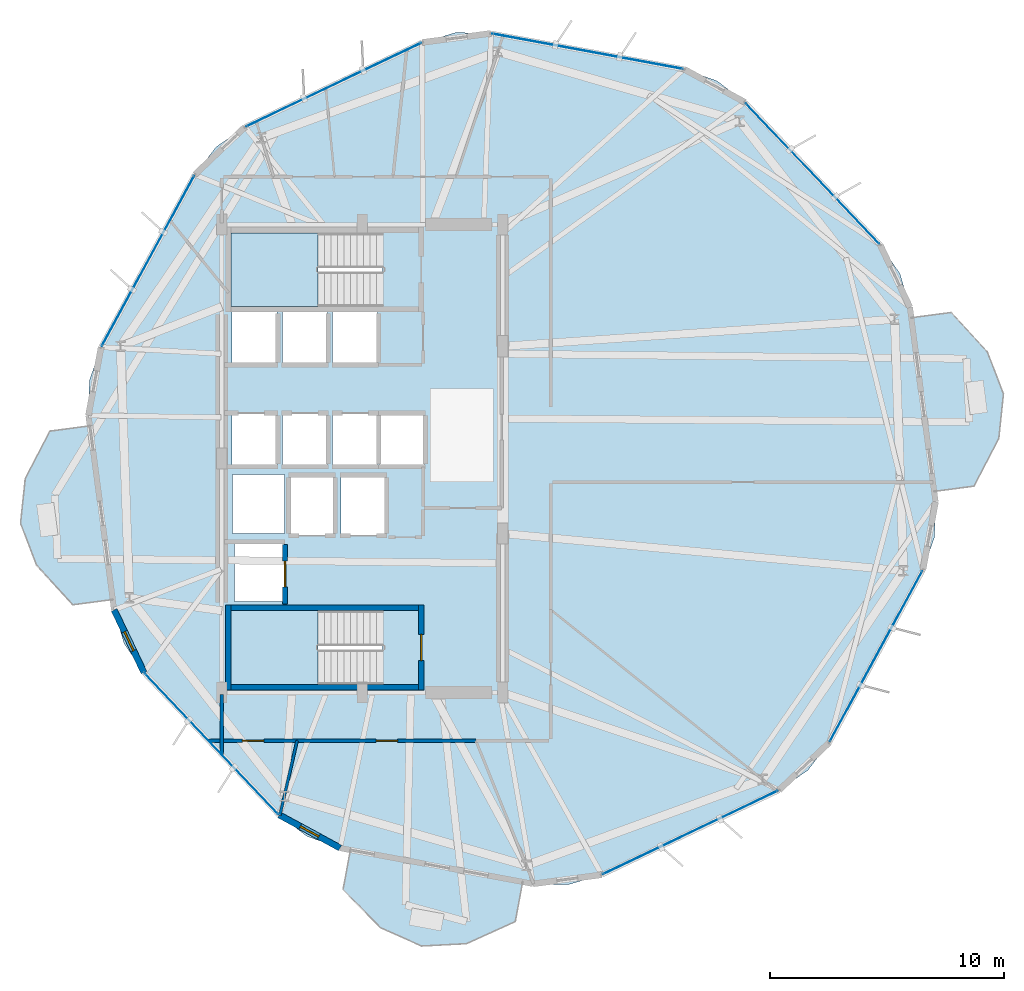
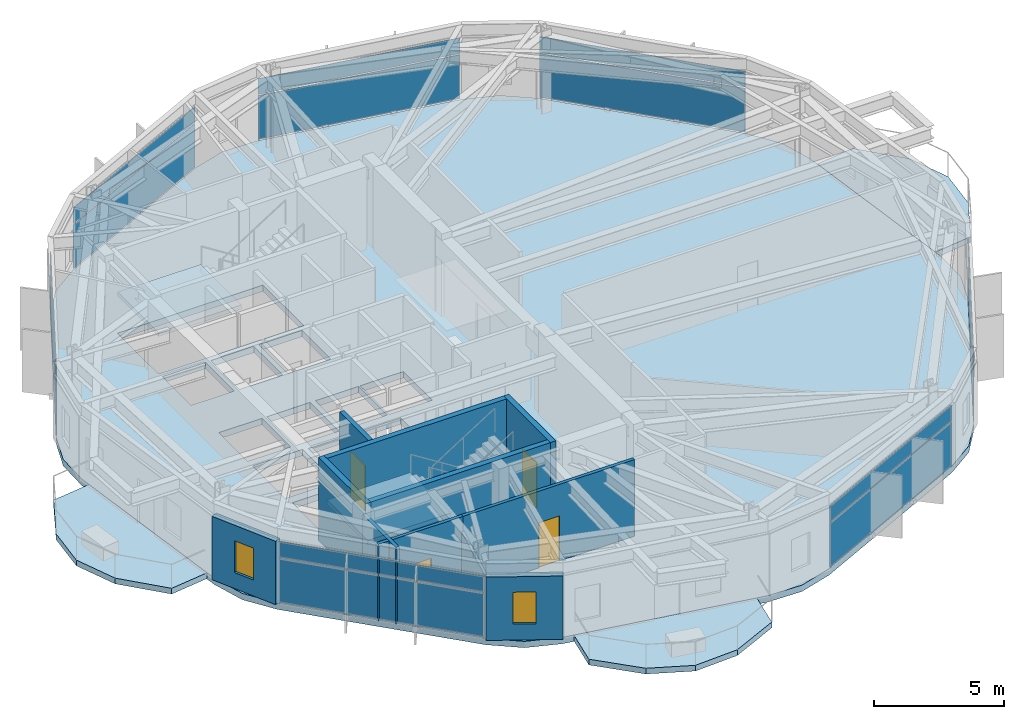
# One storey, part 19 of 25: 14 plates, 11 walls, 6 slabs, 4 doors, 2 windows, 6 openings, 9 elements without a shape of their own.
"""IFC4 building model written with IfcOpenShell, lengths in metres."""

import ifcopenshell
import ifcopenshell.guid

model = None  # the IFC model being written
_history = None  # IfcOwnerHistory: only IFC2X3 demands one
_inside = {}  # id of a spatial element -> (the spatial element, [elements in it])
_under = {}  # id of a project, library or spatial element -> (it, [spatial elements below it])
_declared = {}  # id of a project -> (the project, [libraries it declares])
_typed = {}  # id of a type object -> (the type object, [elements of that type])
_made_of = {}  # id of a material, layer set ... -> (it, [elements and type objects made of it])


def new_model(schema):
    """Start an empty IFC model of exactly this schema.

    Asked for "IFC4X3", IfcOpenShell would pick the latest addendum, in which some entities
    have other attributes; the version numbers below select the first issue.
    IFC2X3 requires an IfcOwnerHistory on every rooted entity: one is made here for all.
    """
    global model, _history
    if schema == "IFC4X3":
        model = ifcopenshell.file(schema_version=(4, 3, 0, 0))
    else:
        model = ifcopenshell.file(schema=schema)
    _inside.clear()
    _under.clear()
    _declared.clear()
    _typed.clear()
    _made_of.clear()
    _history = None
    if model.schema == "IFC2X3":
        org = make("IfcOrganization", Name="unknown")
        user = make(
            "IfcPersonAndOrganization",
            ThePerson=make("IfcPerson", FamilyName="unknown"),
            TheOrganization=org,
        )
        app = make(
            "IfcApplication",
            ApplicationDeveloper=org,
            Version="unknown",
            ApplicationFullName="unknown",
            ApplicationIdentifier="unknown",
        )
        _history = make(
            "IfcOwnerHistory",
            OwningUser=user,
            OwningApplication=app,
            ChangeAction="ADDED",
            CreationDate=0,
        )
    return model


def make(cls, **values):
    """One entity of the class cls with the attributes given. An attribute that is None is left unset."""
    return model.create_entity(
        cls, **{name: value for name, value in values.items() if value is not None}
    )


def rooted(cls, **values):
    """An entity with a GlobalId (a new one), such as an element, a storey or a relation."""
    return make(cls, GlobalId=ifcopenshell.guid.new(), OwnerHistory=_history, **values)


def si_unit(unit_type, name, prefix=None):
    """IfcSIUnit, for example si_unit("LENGTHUNIT", "METRE", prefix="MILLI")."""
    return make("IfcSIUnit", UnitType=unit_type, Prefix=prefix, Name=name)


def assignment(units):
    """IfcUnitAssignment: the units of a project."""
    return None if units is None else make("IfcUnitAssignment", Units=units)


def point(xyz):
    """IfcCartesianPoint."""
    return None if xyz is None else make("IfcCartesianPoint", Coordinates=xyz)


def direction(xyz):
    """IfcDirection."""
    return None if xyz is None else make("IfcDirection", DirectionRatios=xyz)


def frame(location, z_axis=None, x_axis=None):
    """IfcAxis2Placement3D, a coordinate frame: its origin and axes. An axis left out is left unset."""
    return make(
        "IfcAxis2Placement3D",
        Location=point(location),
        Axis=direction(z_axis),
        RefDirection=direction(x_axis),
    )


def frame_2d(location, x_axis=None):
    """IfcAxis2Placement2D, a coordinate frame in the plane: its origin and x axis."""
    return make(
        "IfcAxis2Placement2D", Location=point(location), RefDirection=direction(x_axis)
    )


def origin():
    """The frame at (0, 0, 0) with its axes left unset."""
    return frame((0.0, 0.0, 0.0))


def origin_2d():
    """The frame at (0, 0) in the plane with its x axis left unset."""
    return frame_2d((0.0, 0.0))


def place(relative_to, where):
    """IfcLocalPlacement: puts the frame where relative to a parent placement (None: the world)."""
    return make(
        "IfcLocalPlacement", PlacementRelTo=relative_to, RelativePlacement=where
    )


def context(
    kind, dimensions, precision=None, world=None, true_north=None, identifier=None
):
    """IfcGeometricRepresentationContext, for example the 3D "Model" context."""
    return make(
        "IfcGeometricRepresentationContext",
        ContextIdentifier=identifier,
        ContextType=kind,
        CoordinateSpaceDimension=dimensions,
        Precision=precision,
        WorldCoordinateSystem=world,
        TrueNorth=true_north,
    )


def subcontext(parent, identifier, kind, view, scale=None):
    """IfcGeometricRepresentationSubContext, for example "Body" below "Model"."""
    return make(
        "IfcGeometricRepresentationSubContext",
        ContextIdentifier=identifier,
        ContextType=kind,
        ParentContext=parent,
        TargetScale=scale,
        TargetView=view,
    )


def project(units=None, contexts=None):
    """IfcProject with its units and contexts."""
    return rooted(
        "IfcProject",
        Name="project",
        RepresentationContexts=contexts,
        UnitsInContext=assignment(units),
    )


def spatial(cls, under=None, at=None, **own):
    """A site, building, storey or space (cls), placed at a placement, below another one or the project."""
    s = rooted(cls, ObjectPlacement=at, **own)
    if under is not None:
        _under.setdefault(under.id(), (under, []))[1].append(s)
    return s


def polyline(points):
    """IfcPolyline through the points."""
    return make("IfcPolyline", Points=[point(p) for p in points])


def profile(cls, at=None, kind="AREA", **sizes):
    """A parametric profile (cls). Its sizes go by their IFC names, for example OverallWidth=200.0."""
    return make(cls, ProfileType=kind, Position=at, **sizes)


def rectangle(**sizes):
    """IfcRectangleProfileDef."""
    return profile("IfcRectangleProfileDef", **sizes)


def outline(outer, holes=None, kind="AREA"):
    """IfcArbitraryClosedProfileDef: a profile drawn as a closed curve; with holes, ...WithVoids."""
    if holes is None:
        return make("IfcArbitraryClosedProfileDef", ProfileType=kind, OuterCurve=outer)
    return make(
        "IfcArbitraryProfileDefWithVoids",
        ProfileType=kind,
        OuterCurve=outer,
        InnerCurves=holes,
    )


def extrude(swept, where, along, depth):
    """IfcExtrudedAreaSolid: the profile swept, set in the frame where, extruded along a direction by depth."""
    return make(
        "IfcExtrudedAreaSolid",
        SweptArea=swept,
        Position=where,
        ExtrudedDirection=direction(along),
        Depth=depth,
    )


def shape(context_of_items, identifier, shape_type, items):
    """IfcShapeRepresentation: the items that make up one representation, for example the "Body"."""
    return make(
        "IfcShapeRepresentation",
        ContextOfItems=context_of_items,
        RepresentationIdentifier=identifier,
        RepresentationType=shape_type,
        Items=items,
    )


def material(Name=None, Category=None):
    """IfcMaterial."""
    return make("IfcMaterial", Name=Name, Category=Category)


def layer(
    of_material, thickness, ventilated=None, Name=None, Category=None, Priority=None
):
    """IfcMaterialLayer: one layer of a wall or slab, of a material (None: an air gap)."""
    return make(
        "IfcMaterialLayer",
        Material=of_material,
        LayerThickness=thickness,
        IsVentilated=ventilated,
        Name=Name,
        Category=Category,
        Priority=Priority,
    )


def layer_set(layers, Name=None):
    """IfcMaterialLayerSet."""
    return make("IfcMaterialLayerSet", MaterialLayers=layers, LayerSetName=Name)


def made_of(thing, what):
    """Note that an element or type object is made of a material, layer set ...; save() writes the relation."""
    if what is not None:
        _made_of.setdefault(what.id(), (what, []))[1].append(thing)
    return thing


def type_object(cls, material=None, **own):
    """A type object (cls), such as IfcWallType, which elements share."""
    return made_of(rooted(cls, **own), material)


def element(
    cls,
    number,
    at=None,
    inside=None,
    cuts=None,
    type_object=None,
    material=None,
    context=None,
    identifier="Body",
    shape_type=None,
    held_by="IfcProductDefinitionShape",
    body=None,
    shapes=None,
    **own,
):
    """One element of the class cls, such as IfcWall. Its Tag is "e" and its number.

    at: its placement. inside: the storey or other place that contains it. cuts: it is an
    opening in that element (IfcRelVoidsElement). A single representation is given by context,
    identifier, shape_type and body (its items); several are given by shapes. held_by: the class
    of the entity that holds the representations. save() writes the other relations.
    """
    e = rooted(cls, Tag="e%d" % number, ObjectPlacement=at, **own)
    if body is not None:
        shapes = [shape(context, identifier, shape_type, body)]
    if shapes is not None:
        e.Representation = make(held_by, Representations=shapes)
    if inside is not None:
        _inside.setdefault(inside.id(), (inside, []))[1].append(e)
    if cuts is not None:
        rooted(
            "IfcRelVoidsElement", RelatingBuildingElement=cuts, RelatedOpeningElement=e
        )
    if type_object is not None:
        _typed.setdefault(type_object.id(), (type_object, []))[1].append(e)
    return made_of(e, material)


def fill(opening, filler):
    """IfcRelFillsElement: the door or window that sits in an opening."""
    return rooted(
        "IfcRelFillsElement",
        RelatingOpeningElement=opening,
        RelatedBuildingElement=filler,
    )


def aggregate(whole, parts):
    """IfcRelAggregates: a whole, such as a stair, and the parts it consists of."""
    return rooted("IfcRelAggregates", RelatingObject=whole, RelatedObjects=parts)


def save(model, path):
    """Write the relations noted so far, then the file.

    IfcRelAggregates (storeys below a building ...), IfcRelContainedInSpatialStructure (elements
    in a storey), IfcRelDefinesByType, IfcRelAssociatesMaterial and IfcRelDeclares: one each for
    every whole, place, type object, material and project.
    """
    for whole, parts in _under.values():
        aggregate(whole, parts)
    for where, things in _inside.values():
        rooted(
            "IfcRelContainedInSpatialStructure",
            RelatedElements=things,
            RelatingStructure=where,
        )
    for kind, things in _typed.values():
        rooted("IfcRelDefinesByType", RelatedObjects=things, RelatingType=kind)
    for what, things in _made_of.values():
        rooted("IfcRelAssociatesMaterial", RelatedObjects=things, RelatingMaterial=what)
    for by, libraries in _declared.values():
        rooted("IfcRelDeclares", RelatingContext=by, RelatedDefinitions=libraries)
    model.write(path)


model = new_model("IFC4")

# Units and contexts
model_context = context("Model", 3, precision=1e-05, world=origin(), true_north=direction((0.0, 1.0)))
body_context = subcontext(model_context, "Body", "Model", "MODEL_VIEW")
ifc_project = project(units=[si_unit("LENGTHUNIT", "METRE"), si_unit("AREAUNIT", "SQUARE_METRE"), si_unit("VOLUMEUNIT", "CUBIC_METRE"), si_unit("PLANEANGLEUNIT", "RADIAN"), si_unit("MASSUNIT", "GRAM", prefix="KILO")], contexts=[model_context])

# Site, building, storey
site_placement = place(None, origin())
site = spatial("IfcSite", under=ifc_project, at=site_placement, CompositionType="ELEMENT")
building_placement = place(site_placement, origin())
building = spatial("IfcBuilding", under=site, at=building_placement, Name="Soratama Intermodal Tower", CompositionType="ELEMENT")
storey_placement = place(building_placement, frame((0.0, 0.0, 126.39990234375)))
storey = spatial("IfcBuildingStorey", under=building, at=storey_placement, Name="L30", CompositionType="ELEMENT", Elevation=126.39990234375)

# Curtain wall, plates
ifc_material_1 = material(Name="Double-glazed aluminium curtain wall", Category="aluminium")
ifc_layer_1 = layer(ifc_material_1, 0.159912109375)
ifc_layer_set_1 = layer_set([ifc_layer_1], Name="Double-glazed aluminium curtain wall")
curtain_wall_type = type_object("IfcCurtainWallType", Name="CW-SYS-3", PredefinedType="NOTDEFINED", material=ifc_layer_set_1)
curtain_wall_1_placement = place(storey_placement, origin())
curtain_wall_1 = element("IfcCurtainWall", 1, at=curtain_wall_1_placement, inside=storey, type_object=curtain_wall_type, Name="L30 Faceted Curtain Wall F01", PredefinedType="NOTDEFINED")
ifc_material_2 = material(Name="Low-E laminated double glazing", Category="glass")
ifc_layer_2 = layer(ifc_material_2, 0.028076171875)
ifc_layer_set_2 = layer_set([ifc_layer_2], Name="Low-E laminated double glazing")
plate_type = type_object("IfcPlateType", Name="PT-CWP-3", PredefinedType="CURTAIN_PANEL", material=ifc_layer_set_2)
plate_1_placement = place(storey_placement, frame((57.83984375, 37.1845703125, 0.06005859375), z_axis=(0.0, 0.0, 1.0), x_axis=(-0.688351856626, 0.725376951302, 0.0)))
plate_1 = element("IfcPlate", 2, at=plate_1_placement, type_object=plate_type, Name="CW-3 panel 1.1", PredefinedType="CURTAIN_PANEL", context=body_context, shape_type="SweptSolid", body=[
    extrude(rectangle(XDim=8.263427734375, YDim=0.028076171875, at=origin_2d()), origin(), (0.0, 0.0, 1.0), 2.06005859375),
])
plate_2_placement = place(storey_placement, frame((57.83984375, 37.1845703125, 2.18017578125), z_axis=(0.0, 0.0, 1.0), x_axis=(-0.688351856626, 0.725376951302, 0.0)))
plate_2 = element("IfcPlate", 3, at=plate_2_placement, type_object=plate_type, Name="CW-3 panel 1.2", PredefinedType="CURTAIN_PANEL", context=body_context, shape_type="SweptSolid", body=[
    extrude(rectangle(XDim=8.263427734375, YDim=0.028076171875, at=origin_2d()), origin(), (0.0, 0.0, 1.0), 0.739013671875),
])
aggregate(curtain_wall_1, [plate_1, plate_2])

curtain_wall_2_placement = place(storey_placement, origin())
curtain_wall_2 = element("IfcCurtainWall", 4, at=curtain_wall_2_placement, inside=storey, type_object=curtain_wall_type, Name="L30 Faceted Curtain Wall F02", PredefinedType="NOTDEFINED")
plate_3_placement = place(storey_placement, frame((48.225830078125, 42.404541015625, 0.06005859375), z_axis=(0.0, 0.0, 1.0), x_axis=(-0.98325422962, 0.182239183314, 0.0)))
plate_3 = element("IfcPlate", 5, at=plate_3_placement, type_object=plate_type, Name="CW-3 panel 1.1", PredefinedType="CURTAIN_PANEL", context=body_context, shape_type="SweptSolid", body=[
    extrude(rectangle(XDim=8.263427734375, YDim=0.028076171875, at=origin_2d()), origin(), (0.0, 0.0, 1.0), 2.06005859375),
])
plate_4_placement = place(storey_placement, frame((48.225830078125, 42.404541015625, 2.18017578125), z_axis=(0.0, 0.0, 1.0), x_axis=(-0.98325422962, 0.182239183314, 0.0)))
plate_4 = element("IfcPlate", 6, at=plate_4_placement, type_object=plate_type, Name="CW-3 panel 1.2", PredefinedType="CURTAIN_PANEL", context=body_context, shape_type="SweptSolid", body=[
    extrude(rectangle(XDim=8.263427734375, YDim=0.028076171875, at=origin_2d()), origin(), (0.0, 0.0, 1.0), 0.739013671875),
])
aggregate(curtain_wall_2, [plate_3, plate_4])

curtain_wall_3_placement = place(storey_placement, origin())
curtain_wall_3 = element("IfcCurtainWall", 7, at=curtain_wall_3_placement, inside=storey, type_object=curtain_wall_type, Name="L30 Faceted Curtain Wall F03", PredefinedType="NOTDEFINED")
plate_5_placement = place(storey_placement, frame((37.379638671875, 40.9765625, 0.06005859375), z_axis=(0.0, 0.0, 1.0), x_axis=(-0.902588920984, -0.430503472363, 0.0)))
plate_5 = element("IfcPlate", 8, at=plate_5_placement, type_object=plate_type, Name="CW-3 panel 1.1", PredefinedType="CURTAIN_PANEL", context=body_context, shape_type="SweptSolid", body=[
    extrude(rectangle(XDim=8.263427734375, YDim=0.028076171875, at=origin_2d()), origin(), (0.0, 0.0, 1.0), 2.06005859375),
])
plate_6_placement = place(storey_placement, frame((37.379638671875, 40.9765625, 2.18017578125), z_axis=(0.0, 0.0, 1.0), x_axis=(-0.902588920984, -0.430503472363, 0.0)))
plate_6 = element("IfcPlate", 9, at=plate_6_placement, type_object=plate_type, Name="CW-3 panel 1.2", PredefinedType="CURTAIN_PANEL", context=body_context, shape_type="SweptSolid", body=[
    extrude(rectangle(XDim=8.263427734375, YDim=0.028076171875, at=origin_2d()), origin(), (0.0, 0.0, 1.0), 0.739013671875),
])
aggregate(curtain_wall_3, [plate_5, plate_6])

curtain_wall_4_placement = place(storey_placement, origin())
curtain_wall_4 = element("IfcCurtainWall", 10, at=curtain_wall_4_placement, inside=storey, type_object=curtain_wall_type, Name="L30 Faceted Curtain Wall F04", PredefinedType="NOTDEFINED")
plate_7_placement = place(storey_placement, frame((29.444091796875, 33.446044921875, 0.06005859375), z_axis=(0.0, 0.0, 1.0), x_axis=(-0.477160564712, -0.878816132922, 0.0)))
plate_7 = element("IfcPlate", 11, at=plate_7_placement, type_object=plate_type, Name="CW-3 panel 1.1", PredefinedType="CURTAIN_PANEL", context=body_context, shape_type="SweptSolid", body=[
    extrude(rectangle(XDim=8.263671875, YDim=0.028076171875, at=origin_2d()), origin(), (0.0, 0.0, 1.0), 2.06005859375),
])
plate_8_placement = place(storey_placement, frame((29.444091796875, 33.446044921875, 2.18017578125), z_axis=(0.0, 0.0, 1.0), x_axis=(-0.477160564712, -0.878816132922, 0.0)))
plate_8 = element("IfcPlate", 12, at=plate_8_placement, type_object=plate_type, Name="CW-3 panel 1.2", PredefinedType="CURTAIN_PANEL", context=body_context, shape_type="SweptSolid", body=[
    extrude(rectangle(XDim=8.263671875, YDim=0.028076171875, at=origin_2d()), origin(), (0.0, 0.0, 1.0), 0.739013671875),
])
aggregate(curtain_wall_4, [plate_7, plate_8])

curtain_wall_5_placement = place(storey_placement, origin())
curtain_wall_5 = element("IfcCurtainWall", 13, at=curtain_wall_5_placement, inside=storey, type_object=curtain_wall_type, Name="L30 Faceted Curtain Wall F06", PredefinedType="NOTDEFINED")
plate_9_placement = place(storey_placement, frame((32.16015625, 12.8154296875, 0.06005859375), z_axis=(0.0, 0.0, 1.0), x_axis=(0.688351856626, -0.725376951302, 0.0)))
plate_9 = element("IfcPlate", 14, at=plate_9_placement, type_object=plate_type, Name="CW-3 panel 1.1", PredefinedType="CURTAIN_PANEL", context=body_context, shape_type="SweptSolid", body=[
    extrude(rectangle(XDim=8.263427734375, YDim=0.028076171875, at=origin_2d()), origin(), (0.0, 0.0, 1.0), 2.06005859375),
])
plate_10_placement = place(storey_placement, frame((32.16015625, 12.8154296875, 2.18017578125), z_axis=(0.0, 0.0, 1.0), x_axis=(0.688351856626, -0.725376951302, 0.0)))
plate_10 = element("IfcPlate", 15, at=plate_10_placement, type_object=plate_type, Name="CW-3 panel 1.2", PredefinedType="CURTAIN_PANEL", context=body_context, shape_type="SweptSolid", body=[
    extrude(rectangle(XDim=8.263427734375, YDim=0.028076171875, at=origin_2d()), origin(), (0.0, 0.0, 1.0), 0.739013671875),
])
aggregate(curtain_wall_5, [plate_9, plate_10])

curtain_wall_6_placement = place(storey_placement, origin())
curtain_wall_6 = element("IfcCurtainWall", 16, at=curtain_wall_6_placement, inside=storey, type_object=curtain_wall_type, Name="L30 Faceted Curtain Wall F08", PredefinedType="NOTDEFINED")
plate_11_placement = place(storey_placement, frame((52.620361328125, 9.0234375, 0.06005859375), z_axis=(0.0, 0.0, 1.0), x_axis=(0.902588920984, 0.430503472363, 0.0)))
plate_11 = element("IfcPlate", 17, at=plate_11_placement, type_object=plate_type, Name="CW-3 panel 1.1", PredefinedType="CURTAIN_PANEL", context=body_context, shape_type="SweptSolid", body=[
    extrude(rectangle(XDim=8.263427734375, YDim=0.028076171875, at=origin_2d()), origin(), (0.0, 0.0, 1.0), 2.06005859375),
])
plate_12_placement = place(storey_placement, frame((52.620361328125, 9.0234375, 2.18017578125), z_axis=(0.0, 0.0, 1.0), x_axis=(0.902588920984, 0.430503472363, 0.0)))
plate_12 = element("IfcPlate", 18, at=plate_12_placement, type_object=plate_type, Name="CW-3 panel 1.2", PredefinedType="CURTAIN_PANEL", context=body_context, shape_type="SweptSolid", body=[
    extrude(rectangle(XDim=8.263427734375, YDim=0.028076171875, at=origin_2d()), origin(), (0.0, 0.0, 1.0), 0.739013671875),
])
aggregate(curtain_wall_6, [plate_11, plate_12])

curtain_wall_7_placement = place(storey_placement, origin())
curtain_wall_7 = element("IfcCurtainWall", 19, at=curtain_wall_7_placement, inside=storey, type_object=curtain_wall_type, Name="L30 Faceted Curtain Wall F09", PredefinedType="NOTDEFINED")
plate_13_placement = place(storey_placement, frame((60.555908203125, 16.553955078125, 0.06005859375), z_axis=(0.0, 0.0, 1.0), x_axis=(0.477160564712, 0.878816132922, 0.0)))
plate_13 = element("IfcPlate", 20, at=plate_13_placement, type_object=plate_type, Name="CW-3 panel 1.1", PredefinedType="CURTAIN_PANEL", context=body_context, shape_type="SweptSolid", body=[
    extrude(rectangle(XDim=8.263671875, YDim=0.028076171875, at=origin_2d()), origin(), (0.0, 0.0, 1.0), 2.06005859375),
])
plate_14_placement = place(storey_placement, frame((60.555908203125, 16.553955078125, 2.18017578125), z_axis=(0.0, 0.0, 1.0), x_axis=(0.477160564712, 0.878816132922, 0.0)))
plate_14 = element("IfcPlate", 21, at=plate_14_placement, type_object=plate_type, Name="CW-3 panel 1.2", PredefinedType="CURTAIN_PANEL", context=body_context, shape_type="SweptSolid", body=[
    extrude(rectangle(XDim=8.263671875, YDim=0.028076171875, at=origin_2d()), origin(), (0.0, 0.0, 1.0), 0.739013671875),
])
aggregate(curtain_wall_7, [plate_13, plate_14])

# Slabs
ifc_material_3 = material(Name="Concrete f'c 42 MPa", Category="concrete")
ifc_layer_3 = layer(ifc_material_3, 0.27001953125)
ifc_layer_set_3 = layer_set([ifc_layer_3], Name="Concrete f'c 42 MPa")
slab_type_1 = type_object("IfcSlabType", Name="SL-EXT-BAL1", PredefinedType="FLOOR", material=ifc_layer_set_3)
slab_1_placement = place(storey_placement, frame((0.0, 0.0, -0.27001953125)))
element("IfcSlab", 22, at=slab_1_placement, inside=storey, type_object=slab_type_1, Name="L30 Planted Balcony East 1", PredefinedType="FLOOR", context=body_context, shape_type="SweptSolid", body=[
    extrude(outline(polyline([(63.037841796875, 23.6005859375), (62.06103515625, 31.020263671875), (63.766357421875, 31.24462890625), (65.310302734375, 29.560791015625), (65.999755859375, 27.7646484375), (65.798583984375, 25.85107421875), (64.7431640625, 23.8251953125), (63.037841796875, 23.6005859375)])), origin(), (0.0, 0.0, 1.0), 0.27001953125),
])
slab_2_placement = place(storey_placement, frame((0.0, 0.0, -0.27001953125)))
element("IfcSlab", 23, at=slab_2_placement, inside=storey, type_object=slab_type_1, Name="L30 Planted Balcony West 2", PredefinedType="FLOOR", context=body_context, shape_type="SweptSolid", body=[
    extrude(outline(polyline([(26.962158203125, 26.3994140625), (27.93896484375, 18.979736328125), (26.233642578125, 18.75537109375), (24.689697265625, 20.439208984375), (24.000244140625, 22.2353515625), (24.201416015625, 24.14892578125), (25.2568359375, 26.1748046875), (26.962158203125, 26.3994140625)])), origin(), (0.0, 0.0, 1.0), 0.27001953125),
])
slab_3_placement = place(storey_placement, frame((0.0, 0.0, -0.27001953125)))
element("IfcSlab", 24, at=slab_3_placement, inside=storey, type_object=slab_type_1, Name="L30 Planted Balcony South 3", PredefinedType="FLOOR", context=body_context, shape_type="SweptSolid", body=[
    extrude(outline(polyline([(38.09521484375, 8.27734375), (45.453369140625, 6.91357421875), (45.139892578125, 5.222412109375), (43.061279296875, 4.2744140625), (41.14013671875, 4.173828125), (39.38232421875, 4.956298828125), (37.78173828125, 6.586181640625), (38.09521484375, 8.27734375)])), origin(), (0.0, 0.0, 1.0), 0.27001953125),
])

# Stair, slab
ifc_material_4 = material(Name="Concrete f'c 42 MPa", Category="concrete")
stair_type = type_object("IfcStairType", Name="ST-CORE-DOGLEG", PredefinedType="HALF_TURN_STAIR", material=ifc_material_4)
stair_1_placement = place(storey_placement, origin())
stair_1 = element("IfcStair", 25, at=stair_1_placement, inside=storey, type_object=stair_type, Name="L30 ST-1", PredefinedType="HALF_TURN_STAIR")
ifc_material_5 = material(Name="Concrete f'c 42 MPa", Category="concrete")
ifc_layer_4 = layer(ifc_material_5, 0.219970703125)
ifc_layer_set_4 = layer_set([ifc_layer_4], Name="Concrete f'c 42 MPa")
slab_type_2 = type_object("IfcSlabType", Name="SL-STAIR-LAND", PredefinedType="LANDING", material=ifc_layer_set_4)
slab_4_placement = place(storey_placement, frame((0.0, 0.0, 1.75)))
slab_4 = element("IfcSlab", 26, at=slab_4_placement, type_object=slab_type_2, Name="ST-1 landing 1", PredefinedType="LANDING", context=body_context, shape_type="SweptSolid", body=[
    extrude(outline(polyline([(36.699951171875, 18.5), (33.0, 18.5), (33.0, 15.35009765625), (36.699951171875, 15.35009765625), (36.699951171875, 18.5)])), origin(), (0.0, 0.0, 1.0), 0.2001953125),
])
aggregate(stair_1, [slab_4])

stair_2_placement = place(storey_placement, origin())
stair_2 = element("IfcStair", 27, at=stair_2_placement, inside=storey, type_object=stair_type, Name="L30 ST-2", PredefinedType="HALF_TURN_STAIR")
slab_5_placement = place(storey_placement, frame((0.0, 0.0, 1.75)))
slab_5 = element("IfcSlab", 28, at=slab_5_placement, type_object=slab_type_2, Name="ST-2 landing 1", PredefinedType="LANDING", context=body_context, shape_type="SweptSolid", body=[
    extrude(outline(polyline([(36.699951171875, 34.64990234375), (33.0, 34.64990234375), (33.0, 31.5), (36.699951171875, 31.5), (36.699951171875, 34.64990234375)])), origin(), (0.0, 0.0, 1.0), 0.2001953125),
])
aggregate(stair_2, [slab_5])

# Slab
ifc_material_6 = material(Name="Concrete f'c 42 MPa", Category="concrete")
ifc_layer_5 = layer(ifc_material_6, 0.280029296875)
ifc_layer_set_5 = layer_set([ifc_layer_5], Name="Concrete f'c 42 MPa")
slab_type_3 = type_object("IfcSlabType", Name="SL-TWR-280", PredefinedType="FLOOR", material=ifc_layer_set_5)
slab_6_placement = place(storey_placement, frame((0.0, 0.0, -0.2998046875)))
element("IfcSlab", 29, at=slab_6_placement, inside=storey, type_object=slab_type_3, Name="L30 Structural Floor Slab", PredefinedType="FLOOR", context=body_context, shape_type="SweptSolid", body=[
    extrude(outline(polyline([(62.002197265625, 31.46630859375), (61.57568359375, 32.90625), (60.72509765625, 34.143798828125), (54.954345703125, 40.22509765625), (53.762939453125, 41.139404296875), (52.347412109375, 41.640625), (44.104248046875, 43.16845703125), (42.602783203125, 43.207763671875), (41.1630859375, 42.781005859375), (33.59619140625, 39.172119140625), (32.3583984375, 38.3212890625), (31.4443359375, 37.1298828125), (27.444091796875, 29.76220703125), (26.942626953125, 28.3466796875), (26.9033203125, 26.845458984375), (27.997802734375, 18.53369140625), (28.42431640625, 17.09375), (29.27490234375, 15.856201171875), (35.045654296875, 9.77490234375), (36.237060546875, 8.860595703125), (37.652587890625, 8.359375), (45.895751953125, 6.83154296875), (47.397216796875, 6.792236328125), (48.8369140625, 7.218994140625), (56.40380859375, 10.827880859375), (57.6416015625, 11.6787109375), (58.5556640625, 12.8701171875), (62.555908203125, 20.23779296875), (63.057373046875, 21.6533203125), (63.0966796875, 23.154541015625), (62.002197265625, 31.46630859375)]), holes=[polyline([(33.0, 18.5), (33.0, 15.35009765625), (39.47509765625, 15.35009765625), (39.47509765625, 18.5), (33.0, 18.5)]), polyline([(35.260009765625, 18.889892578125), (35.260009765625, 21.409912109375), (33.139892578125, 21.409912109375), (33.139892578125, 18.889892578125), (35.260009765625, 18.889892578125)]), polyline([(33.050048828125, 21.800048828125), (35.280029296875, 21.800048828125), (35.280029296875, 24.320068359375), (33.050048828125, 24.320068359375), (33.050048828125, 21.800048828125)]), polyline([(34.9599609375, 26.909912109375), (33.0400390625, 26.909912109375), (33.0400390625, 24.68994140625), (34.9599609375, 24.68994140625), (34.9599609375, 26.909912109375)]), polyline([(37.110107421875, 24.68994140625), (37.110107421875, 26.909912109375), (35.18994140625, 26.909912109375), (35.18994140625, 24.68994140625), (37.110107421875, 24.68994140625)]), polyline([(34.9599609375, 29.0400390625), (34.9599609375, 31.260009765625), (33.0400390625, 31.260009765625), (33.0400390625, 29.0400390625), (34.9599609375, 29.0400390625)]), polyline([(37.110107421875, 31.260009765625), (35.18994140625, 31.260009765625), (35.18994140625, 29.0400390625), (37.110107421875, 29.0400390625), (37.110107421875, 31.260009765625)]), polyline([(37.409912109375, 21.739990234375), (37.409912109375, 24.260009765625), (35.489990234375, 24.260009765625), (35.489990234375, 21.739990234375), (37.409912109375, 21.739990234375)]), polyline([(39.610107421875, 21.739990234375), (39.610107421875, 24.260009765625), (37.68994140625, 24.260009765625), (37.68994140625, 21.739990234375), (39.610107421875, 21.739990234375)]), polyline([(39.260009765625, 24.68994140625), (39.260009765625, 26.909912109375), (37.340087890625, 26.909912109375), (37.340087890625, 24.68994140625), (39.260009765625, 24.68994140625)]), polyline([(41.260009765625, 24.68994140625), (41.260009765625, 26.909912109375), (39.340087890625, 26.909912109375), (39.340087890625, 24.68994140625), (41.260009765625, 24.68994140625)]), polyline([(39.260009765625, 29.0400390625), (39.260009765625, 31.260009765625), (37.340087890625, 31.260009765625), (37.340087890625, 29.0400390625), (39.260009765625, 29.0400390625)]), polyline([(39.47509765625, 34.64990234375), (33.0, 34.64990234375), (33.0, 31.5), (39.47509765625, 31.5), (39.47509765625, 34.64990234375)])]), origin(), (0.0, 0.0, 1.0), 0.2998046875),
])

# Wall, opening, window
ifc_material_7 = material(Name="Concrete f'c 42 MPa", Category="concrete")
ifc_layer_6 = layer(ifc_material_7, 0.27001953125)
ifc_layer_set_6 = layer_set([ifc_layer_6], Name="Concrete f'c 42 MPa")
wall_type_1 = type_object("IfcWallType", Name="EW-CRN-270", PredefinedType="SOLIDWALL", material=ifc_layer_set_6)
wall_1_placement = place(storey_placement, frame((27.997802734375, 18.53369140625, 0.0), z_axis=(0.0, 0.0, 1.0), x_axis=(0.430511722547, -0.902584985887, 0.0)))
wall_1 = element("IfcWall", 30, at=wall_1_placement, inside=storey, type_object=wall_type_1, Name="L30 Corner Closure Wall 05", PredefinedType="SOLIDWALL", context=body_context, shape_type="SweptSolid", body=[
    extrude(rectangle(XDim=2.966552734375, YDim=0.27001953125, at=frame_2d((1.4833984375, 0.0))), origin(), (0.0, 0.0, 1.0), 2.97900390625),
])
opening_1_placement = place(wall_1_placement, frame((1.033203125, 0.0, 0.75)))
opening_1 = element("IfcOpeningElement", 31, at=opening_1_placement, cuts=wall_1, Name="Opening WN-6", PredefinedType="OPENING", context=body_context, shape_type="SweptSolid", body=[
    extrude(rectangle(XDim=0.89990234375, YDim=1.5, at=frame_2d((0.449951171875, 0.75))), frame((0.0, 0.14501953125, 0.0), z_axis=(0.0, -1.0, 0.0), x_axis=(1.0, 0.0, 0.0)), (0.0, 0.0, 1.0), 0.2900390625),
])
ifc_material_8 = material(Name="Double-glazed aluminium window", Category="aluminium")
window_type = type_object("IfcWindowType", Name="WN-FAC-900", PartitioningType="SINGLE_PANEL", PredefinedType="WINDOW", material=ifc_material_8)
window_1_placement = place(opening_1_placement, origin())
window_1 = element("IfcWindow", 32, at=window_1_placement, inside=storey, type_object=window_type, Name="L30 Corner Window 05", OverallHeight=1.5, OverallWidth=0.89990234375, PartitioningType="SINGLE_PANEL", PredefinedType="WINDOW", context=body_context, shape_type="SweptSolid", body=[
    extrude(rectangle(XDim=0.89990234375, YDim=1.5, at=frame_2d((0.449951171875, 0.75))), frame((0.0, 0.030029296875, 0.0), z_axis=(0.0, -1.0, 0.0), x_axis=(1.0, 0.0, 0.0)), (0.0, 0.0, 1.0), 0.06005859375),
])
fill(opening_1, window_1)

wall_2_placement = place(storey_placement, frame((35.045654296875, 9.77490234375, 0.0), z_axis=(0.0, 0.0, 1.0), x_axis=(0.878806101886, -0.477179039028, 0.0)))
wall_2 = element("IfcWall", 33, at=wall_2_placement, inside=storey, type_object=wall_type_1, Name="L30 Corner Closure Wall 06", PredefinedType="SOLIDWALL", context=body_context, shape_type="SweptSolid", body=[
    extrude(rectangle(XDim=2.966552734375, YDim=0.27001953125, at=frame_2d((1.4833984375, 0.0))), origin(), (0.0, 0.0, 1.0), 2.97900390625),
])
opening_2_placement = place(wall_2_placement, frame((1.033203125, 0.0, 0.75)))
opening_2 = element("IfcOpeningElement", 34, at=opening_2_placement, cuts=wall_2, Name="Opening WN-6", PredefinedType="OPENING", context=body_context, shape_type="SweptSolid", body=[
    extrude(rectangle(XDim=0.89990234375, YDim=1.5, at=frame_2d((0.449951171875, 0.75))), frame((0.0, 0.14501953125, 0.0), z_axis=(0.0, -1.0, 0.0), x_axis=(1.0, 0.0, 0.0)), (0.0, 0.0, 1.0), 0.2900390625),
])
window_2_placement = place(opening_2_placement, origin())
window_2 = element("IfcWindow", 35, at=window_2_placement, inside=storey, type_object=window_type, Name="L30 Corner Window 06", OverallHeight=1.5, OverallWidth=0.89990234375, PartitioningType="SINGLE_PANEL", PredefinedType="WINDOW", context=body_context, shape_type="SweptSolid", body=[
    extrude(rectangle(XDim=0.89990234375, YDim=1.5, at=frame_2d((0.449951171875, 0.75))), frame((0.0, 0.030029296875, 0.0), z_axis=(0.0, -1.0, 0.0), x_axis=(1.0, 0.0, 0.0)), (0.0, 0.0, 1.0), 0.06005859375),
])
fill(opening_2, window_2)

# Wall, opening, door
ifc_material_9 = material(Name="Fire-rated gypsum stud partition", Category="concrete")
ifc_layer_7 = layer(ifc_material_9, 0.14990234375)
ifc_layer_set_7 = layer_set([ifc_layer_7], Name="Fire-rated gypsum stud partition")
wall_type_2 = type_object("IfcWallType", Name="IW-PART-R150", PredefinedType="PARTITIONING", material=ifc_layer_set_7)
wall_3_placement = place(storey_placement, frame((43.455078125, 12.949951171875, 0.0), z_axis=(0.0, 0.0, 1.0), x_axis=(-1.0, 0.0, 0.0)))
wall_3 = element("IfcWall", 36, at=wall_3_placement, inside=storey, type_object=wall_type_2, Name="L30 Partition W-L30-TP003", PredefinedType="PARTITIONING", context=body_context, shape_type="SweptSolid", body=[
    extrude(rectangle(XDim=7.636962890625, YDim=0.14990234375, at=frame_2d((3.818359375, 0.0))), origin(), (0.0, 0.0, 1.0), 3.60009765625),
])
opening_3_placement = place(wall_3_placement, frame((3.343994140625, 0.0, 0.0)))
opening_3 = element("IfcOpeningElement", 37, at=opening_3_placement, cuts=wall_3, Name="Opening ID-6", PredefinedType="OPENING", context=body_context, shape_type="SweptSolid", body=[
    extrude(rectangle(XDim=0.919921875, YDim=2.1201171875, at=frame_2d((0.4599609375, 1.06005859375))), frame((0.0, 0.0849609375, 0.0), z_axis=(0.0, -1.0, 0.0), x_axis=(1.0, 0.0, 0.0)), (0.0, 0.0, 1.0), 0.169921875),
])
ifc_material_10 = material(Name="Solid hardwood acoustic door", Category="wood")
door_type_1 = type_object("IfcDoorType", Name="DR-ROOM-920", OperationType="NOTDEFINED", PredefinedType="DOOR", material=ifc_material_10)
door_1_placement = place(opening_3_placement, origin())
door_1 = element("IfcDoor", 38, at=door_1_placement, inside=storey, type_object=door_type_1, Name="L30 Door D-L30-TP002", OperationType="SINGLE_SWING_LEFT", OverallHeight=2.1201171875, OverallWidth=0.919921875, PredefinedType="DOOR", context=body_context, shape_type="SweptSolid", body=[
    extrude(rectangle(XDim=0.919921875, YDim=2.1201171875, at=frame_2d((0.4599609375, 1.06005859375))), frame((0.0, 0.02490234375, 0.0), z_axis=(0.0, -1.0, 0.0), x_axis=(1.0, 0.0, 0.0)), (0.0, 0.0, 1.0), 0.050048828125),
])
fill(opening_3, door_1)

wall_4_placement = place(storey_placement, frame((35.818115234375, 12.949951171875, 0.0), z_axis=(0.0, 0.0, 1.0), x_axis=(-1.0, 0.0, 0.0)))
wall_4 = element("IfcWall", 39, at=wall_4_placement, inside=storey, type_object=wall_type_2, Name="L30 Partition W-L30-TP013", PredefinedType="PARTITIONING", context=body_context, shape_type="SweptSolid", body=[
    extrude(rectangle(XDim=3.78515625, YDim=0.14990234375, at=frame_2d((1.892578125, 0.0))), origin(), (0.0, 0.0, 1.0), 3.60009765625),
])
opening_4_placement = place(wall_4_placement, frame((1.4169921875, 0.0, 0.0)))
opening_4 = element("IfcOpeningElement", 40, at=opening_4_placement, cuts=wall_4, Name="Opening ID-6", PredefinedType="OPENING", context=body_context, shape_type="SweptSolid", body=[
    extrude(rectangle(XDim=0.919921875, YDim=2.1201171875, at=frame_2d((0.4599609375, 1.06005859375))), frame((0.0, 0.0849609375, 0.0), z_axis=(0.0, -1.0, 0.0), x_axis=(1.0, 0.0, 0.0)), (0.0, 0.0, 1.0), 0.169921875),
])
door_2_placement = place(opening_4_placement, origin())
door_2 = element("IfcDoor", 41, at=door_2_placement, inside=storey, type_object=door_type_1, Name="L30 Door D-L30-TP006", OperationType="SINGLE_SWING_LEFT", OverallHeight=2.1201171875, OverallWidth=0.919921875, PredefinedType="DOOR", context=body_context, shape_type="SweptSolid", body=[
    extrude(rectangle(XDim=0.919921875, YDim=2.1201171875, at=frame_2d((0.4599609375, 1.06005859375))), frame((0.0, 0.02490234375, 0.0), z_axis=(0.0, -1.0, 0.0), x_axis=(1.0, 0.0, 0.0)), (0.0, 0.0, 1.0), 0.050048828125),
])
fill(opening_4, door_2)

# Walls
wall_5_placement = place(storey_placement, frame((32.60009765625, 12.35205078125, 0.0), z_axis=(0.0, 0.0, 1.0), x_axis=(0.0, 1.0, 0.0)))
element("IfcWall", 42, at=wall_5_placement, inside=storey, type_object=wall_type_2, Name="L30 Partition W-L30-TP019", PredefinedType="PARTITIONING", context=body_context, shape_type="SweptSolid", body=[
    extrude(rectangle(XDim=2.577880859375, YDim=0.14990234375, at=frame_2d((1.2890625, 0.0))), origin(), (0.0, 0.0, 1.0), 3.60009765625),
])
ifc_material_11 = material(Name="Fire-rated gypsum stud partition", Category="concrete")
ifc_layer_8 = layer(ifc_material_11, 0.1201171875)
ifc_layer_set_8 = layer_set([ifc_layer_8], Name="Fire-rated gypsum stud partition")
wall_type_3 = type_object("IfcWallType", Name="IW-PART-S120", PredefinedType="PARTITIONING", material=ifc_layer_set_8)
wall_6_placement = place(storey_placement, frame((35.818115234375, 12.949951171875, 0.0), z_axis=(0.0, 0.0, 1.0), x_axis=(-0.224957203043, -0.974368645226, 0.0)))
element("IfcWall", 43, at=wall_6_placement, inside=storey, type_object=wall_type_3, Name="L30 Partition W-L30-TP015", PredefinedType="PARTITIONING", context=body_context, shape_type="SweptSolid", body=[
    extrude(rectangle(XDim=3.28515625, YDim=0.1201171875, at=frame_2d((1.642578125, 0.0))), origin(), (0.0, 0.0, 1.0), 2.89501953125),
])

# Wall, opening, door
ifc_material_12 = material(Name="Concrete f'c 42 MPa", Category="concrete")
ifc_layer_9 = layer(ifc_material_12, 0.199951171875)
ifc_layer_set_9 = layer_set([ifc_layer_9], Name="Concrete f'c 42 MPa")
wall_type_4 = type_object("IfcWallType", Name="IW-SHAFT-200", PredefinedType="SOLIDWALL", material=ifc_layer_set_9)
wall_7_placement = place(storey_placement, frame((35.300048828125, 18.7900390625, 0.0), z_axis=(0.0, 0.0, 1.0), x_axis=(0.0, 1.0, 0.0)))
wall_7 = element("IfcWall", 44, at=wall_7_placement, inside=storey, type_object=wall_type_4, Name="L30 SVL-1 Hoistway Wall E", PredefinedType="SOLIDWALL", context=body_context, shape_type="SweptSolid", body=[
    extrude(rectangle(XDim=2.550048828125, YDim=0.199951171875, at=frame_2d((1.27490234375, 0.0))), origin(), (0.0, 0.0, 1.0), 3.60009765625),
])
opening_5_placement = place(wall_7_placement, frame((0.72509765625, 0.0, 0.0)))
opening_5 = element("IfcOpeningElement", 45, at=opening_5_placement, cuts=wall_7, Name="Opening LD-1", PredefinedType="OPENING", context=body_context, shape_type="SweptSolid", body=[
    extrude(rectangle(XDim=1.10009765625, YDim=2.14990234375, at=frame_2d((0.550048828125, 1.074951171875))), frame((0.0, 0.10986328125, 0.0), z_axis=(0.0, -1.0, 0.0), x_axis=(1.0, 0.0, 0.0)), (0.0, 0.0, 1.0), 0.219970703125),
])
ifc_material_13 = material(Name="Steel fire door", Category="steel")
door_type_2 = type_object("IfcDoorType", Name="DR-LIFT-SLIDE", OperationType="NOTDEFINED", PredefinedType="DOOR", material=ifc_material_13)
door_3_placement = place(opening_5_placement, origin())
door_3 = element("IfcDoor", 46, at=door_3_placement, inside=storey, type_object=door_type_2, Name="L30 SVL-1 Sliding Landing Door", OperationType="SLIDING_TO_LEFT", OverallHeight=2.14990234375, OverallWidth=1.10009765625, PredefinedType="DOOR", context=body_context, shape_type="SweptSolid", body=[
    extrude(rectangle(XDim=1.10009765625, YDim=2.14990234375, at=frame_2d((0.550048828125, 1.074951171875))), frame((0.0, 0.02490234375, 0.0), z_axis=(0.0, -1.0, 0.0), x_axis=(1.0, 0.0, 0.0)), (0.0, 0.0, 1.0), 0.050048828125),
])
fill(opening_5, door_3)

# Wall
ifc_material_14 = material(Name="Concrete f'c 56 MPa", Category="concrete")
ifc_layer_10 = layer(ifc_material_14, 0.239990234375)
ifc_layer_set_10 = layer_set([ifc_layer_10], Name="Concrete f'c 56 MPa")
wall_type_5 = type_object("IfcWallType", Name="SW-STAIR-240", PredefinedType="SHEAR", material=ifc_layer_set_10)
wall_8_placement = place(storey_placement, frame((32.8798828125, 15.110107421875, 0.0), z_axis=(0.0, 0.0, 1.0), x_axis=(0.0, 1.0, 0.0)))
element("IfcWall", 47, at=wall_8_placement, inside=storey, type_object=wall_type_5, Name="L30 ST-1 Shaft Shear Wall W", PredefinedType="SHEAR", context=body_context, shape_type="SweptSolid", body=[
    extrude(rectangle(XDim=3.6298828125, YDim=0.239990234375, at=frame_2d((1.81494140625, 0.0))), origin(), (0.0, 0.0, 1.0), 3.900146484375),
])

# Wall, opening, door
wall_9_placement = place(storey_placement, frame((41.1201171875, 15.110107421875, 0.0), z_axis=(0.0, 0.0, 1.0), x_axis=(0.0, 1.0, 0.0)))
wall_9 = element("IfcWall", 48, at=wall_9_placement, inside=storey, type_object=wall_type_5, Name="L30 ST-1 Shaft Shear Wall E", PredefinedType="SHEAR", context=body_context, shape_type="SweptSolid", body=[
    extrude(rectangle(XDim=3.6298828125, YDim=0.239990234375, at=frame_2d((1.81494140625, 0.0))), origin(), (0.0, 0.0, 1.0), 3.900146484375),
])
opening_6_placement = place(wall_9_placement, frame((1.2548828125, 0.0, 0.0)))
opening_6 = element("IfcOpeningElement", 49, at=opening_6_placement, cuts=wall_9, Name="Opening SD-1", PredefinedType="OPENING", context=body_context, shape_type="SweptSolid", body=[
    extrude(rectangle(XDim=1.1201171875, YDim=2.14990234375, at=frame_2d((0.56005859375, 1.074951171875))), frame((0.0, 0.1298828125, 0.0), z_axis=(0.0, -1.0, 0.0), x_axis=(1.0, 0.0, 0.0)), (0.0, 0.0, 1.0), 0.260009765625),
])
ifc_material_15 = material(Name="Steel fire door", Category="steel")
door_type_3 = type_object("IfcDoorType", Name="DR-STAIR-FD90", OperationType="NOTDEFINED", PredefinedType="DOOR", material=ifc_material_15)
door_4_placement = place(opening_6_placement, origin())
door_4 = element("IfcDoor", 50, at=door_4_placement, inside=storey, type_object=door_type_3, Name="L30 ST-1 Exit Stair Door", OperationType="SINGLE_SWING_LEFT", OverallHeight=2.14990234375, OverallWidth=1.1201171875, PredefinedType="DOOR", context=body_context, shape_type="SweptSolid", body=[
    extrude(rectangle(XDim=1.1201171875, YDim=2.14990234375, at=frame_2d((0.56005859375, 1.074951171875))), frame((0.0, 0.02490234375, 0.0), z_axis=(0.0, -1.0, 0.0), x_axis=(1.0, 0.0, 0.0)), (0.0, 0.0, 1.0), 0.050048828125),
])
fill(opening_6, door_4)

# Walls
for number, where, z_axis, x_axis, name in (
    (51, (33.0, 15.22998046875, 0.0), (0.0, 0.0, 1.0), (1.0, 0.0, 0.0), "L30 ST-1 Shaft Shear Wall S"),
    (52, (33.0, 18.6201171875, 0.0), (0.0, 0.0, 1.0), (1.0, 0.0, 0.0), "L30 ST-1 Shaft Shear Wall N"),
):
    element("IfcWall", number, at=place(storey_placement, frame(where, z_axis=z_axis, x_axis=x_axis)), inside=storey, type_object=wall_type_5, Name=name, PredefinedType="SHEAR", context=body_context, shape_type="SweptSolid", body=[
        extrude(rectangle(XDim=8.0, YDim=0.239990234375, at=frame_2d((4.0, 0.0))), origin(), (0.0, 0.0, 1.0), 3.900146484375),
    ])

save(model, "model.ifc")
